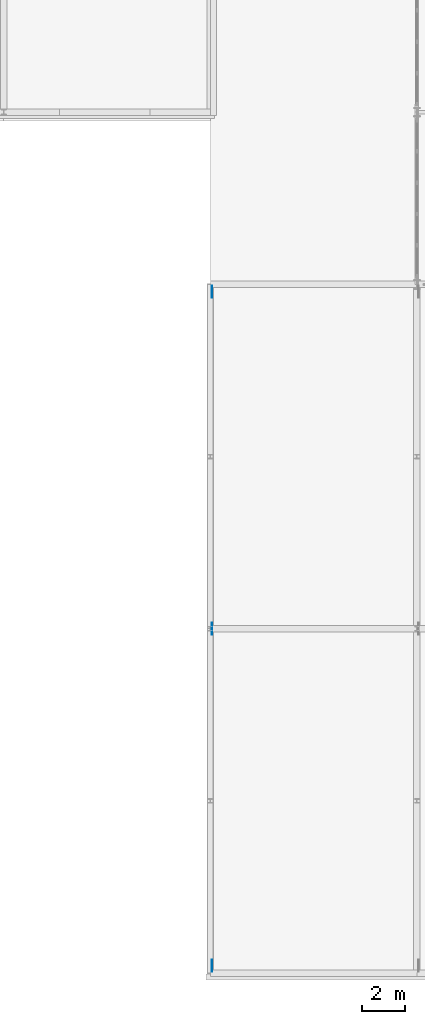
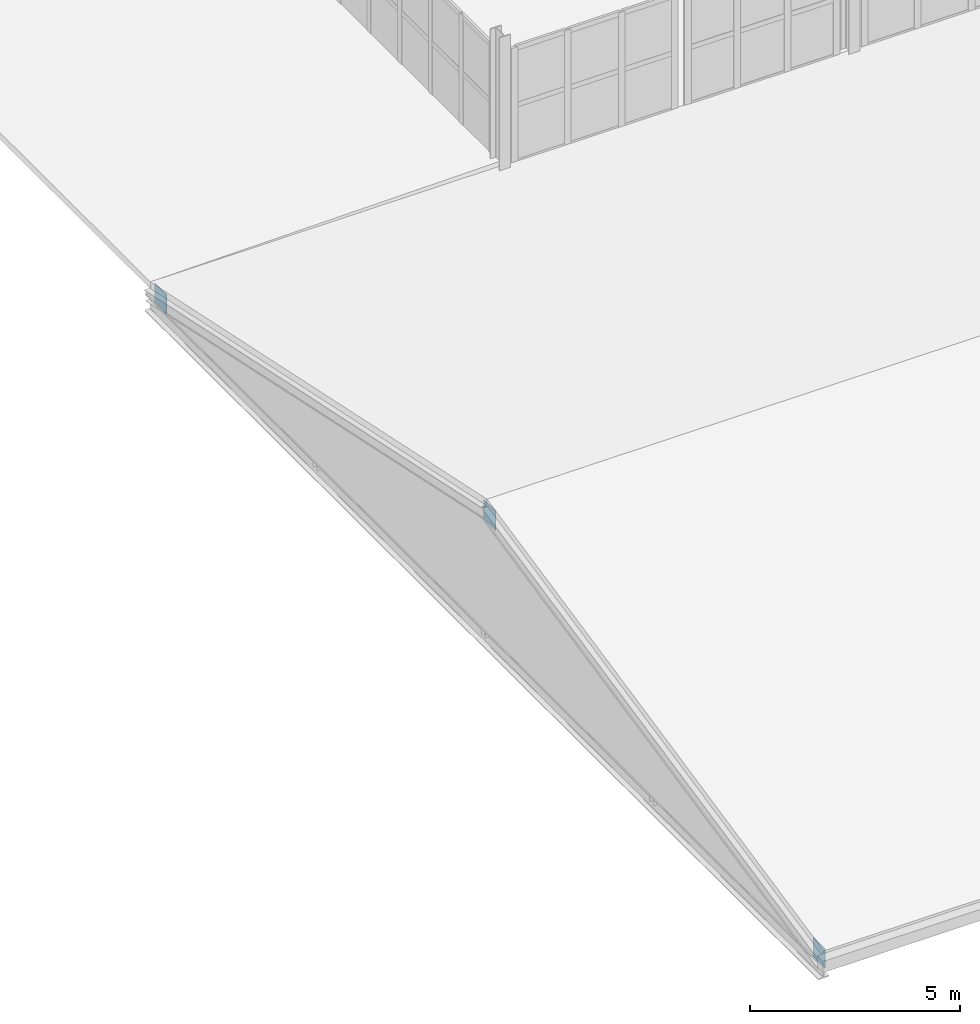
# One storey, part 64 of 85: 3 plates.
"""IFC4 building model written with IfcOpenShell, lengths in metres."""

import ifcopenshell
import ifcopenshell.guid

model = None  # the IFC model being written
_history = None  # IfcOwnerHistory: only IFC2X3 demands one
_inside = {}  # id of a spatial element -> (the spatial element, [elements in it])
_under = {}  # id of a project, library or spatial element -> (it, [spatial elements below it])
_declared = {}  # id of a project -> (the project, [libraries it declares])
_typed = {}  # id of a type object -> (the type object, [elements of that type])
_made_of = {}  # id of a material, layer set ... -> (it, [elements and type objects made of it])


def new_model(schema):
    """Start an empty IFC model of exactly this schema.

    Asked for "IFC4X3", IfcOpenShell would pick the latest addendum, in which some entities
    have other attributes; the version numbers below select the first issue.
    IFC2X3 requires an IfcOwnerHistory on every rooted entity: one is made here for all.
    """
    global model, _history
    if schema == "IFC4X3":
        model = ifcopenshell.file(schema_version=(4, 3, 0, 0))
    else:
        model = ifcopenshell.file(schema=schema)
    _inside.clear()
    _under.clear()
    _declared.clear()
    _typed.clear()
    _made_of.clear()
    _history = None
    if model.schema == "IFC2X3":
        org = make("IfcOrganization", Name="unknown")
        user = make(
            "IfcPersonAndOrganization",
            ThePerson=make("IfcPerson", FamilyName="unknown"),
            TheOrganization=org,
        )
        app = make(
            "IfcApplication",
            ApplicationDeveloper=org,
            Version="unknown",
            ApplicationFullName="unknown",
            ApplicationIdentifier="unknown",
        )
        _history = make(
            "IfcOwnerHistory",
            OwningUser=user,
            OwningApplication=app,
            ChangeAction="ADDED",
            CreationDate=0,
        )
    return model


def make(cls, **values):
    """One entity of the class cls with the attributes given. An attribute that is None is left unset."""
    return model.create_entity(
        cls, **{name: value for name, value in values.items() if value is not None}
    )


def rooted(cls, **values):
    """An entity with a GlobalId (a new one), such as an element, a storey or a relation."""
    return make(cls, GlobalId=ifcopenshell.guid.new(), OwnerHistory=_history, **values)


def si_unit(unit_type, name, prefix=None):
    """IfcSIUnit, for example si_unit("LENGTHUNIT", "METRE", prefix="MILLI")."""
    return make("IfcSIUnit", UnitType=unit_type, Prefix=prefix, Name=name)


def assignment(units):
    """IfcUnitAssignment: the units of a project."""
    return None if units is None else make("IfcUnitAssignment", Units=units)


def point(xyz):
    """IfcCartesianPoint."""
    return None if xyz is None else make("IfcCartesianPoint", Coordinates=xyz)


def direction(xyz):
    """IfcDirection."""
    return None if xyz is None else make("IfcDirection", DirectionRatios=xyz)


def frame(location, z_axis=None, x_axis=None):
    """IfcAxis2Placement3D, a coordinate frame: its origin and axes. An axis left out is left unset."""
    return make(
        "IfcAxis2Placement3D",
        Location=point(location),
        Axis=direction(z_axis),
        RefDirection=direction(x_axis),
    )


def frame_2d(location, x_axis=None):
    """IfcAxis2Placement2D, a coordinate frame in the plane: its origin and x axis."""
    return make(
        "IfcAxis2Placement2D", Location=point(location), RefDirection=direction(x_axis)
    )


def origin():
    """The frame at (0, 0, 0) with its axes left unset."""
    return frame((0.0, 0.0, 0.0))


def origin_2d():
    """The frame at (0, 0) in the plane with its x axis left unset."""
    return frame_2d((0.0, 0.0))


def place(relative_to, where):
    """IfcLocalPlacement: puts the frame where relative to a parent placement (None: the world)."""
    return make(
        "IfcLocalPlacement", PlacementRelTo=relative_to, RelativePlacement=where
    )


def context(
    kind, dimensions, precision=None, world=None, true_north=None, identifier=None
):
    """IfcGeometricRepresentationContext, for example the 3D "Model" context."""
    return make(
        "IfcGeometricRepresentationContext",
        ContextIdentifier=identifier,
        ContextType=kind,
        CoordinateSpaceDimension=dimensions,
        Precision=precision,
        WorldCoordinateSystem=world,
        TrueNorth=true_north,
    )


def subcontext(parent, identifier, kind, view, scale=None):
    """IfcGeometricRepresentationSubContext, for example "Body" below "Model"."""
    return make(
        "IfcGeometricRepresentationSubContext",
        ContextIdentifier=identifier,
        ContextType=kind,
        ParentContext=parent,
        TargetScale=scale,
        TargetView=view,
    )


def project(units=None, contexts=None):
    """IfcProject with its units and contexts."""
    return rooted(
        "IfcProject",
        Name="project",
        RepresentationContexts=contexts,
        UnitsInContext=assignment(units),
    )


def spatial(cls, under=None, at=None, **own):
    """A site, building, storey or space (cls), placed at a placement, below another one or the project."""
    s = rooted(cls, ObjectPlacement=at, **own)
    if under is not None:
        _under.setdefault(under.id(), (under, []))[1].append(s)
    return s


def profile(cls, at=None, kind="AREA", **sizes):
    """A parametric profile (cls). Its sizes go by their IFC names, for example OverallWidth=200.0."""
    return make(cls, ProfileType=kind, Position=at, **sizes)


def rectangle(**sizes):
    """IfcRectangleProfileDef."""
    return profile("IfcRectangleProfileDef", **sizes)


def extrude(swept, where, along, depth):
    """IfcExtrudedAreaSolid: the profile swept, set in the frame where, extruded along a direction by depth."""
    return make(
        "IfcExtrudedAreaSolid",
        SweptArea=swept,
        Position=where,
        ExtrudedDirection=direction(along),
        Depth=depth,
    )


def shape(context_of_items, identifier, shape_type, items):
    """IfcShapeRepresentation: the items that make up one representation, for example the "Body"."""
    return make(
        "IfcShapeRepresentation",
        ContextOfItems=context_of_items,
        RepresentationIdentifier=identifier,
        RepresentationType=shape_type,
        Items=items,
    )


def material(Name=None, Category=None):
    """IfcMaterial."""
    return make("IfcMaterial", Name=Name, Category=Category)


def layer(
    of_material, thickness, ventilated=None, Name=None, Category=None, Priority=None
):
    """IfcMaterialLayer: one layer of a wall or slab, of a material (None: an air gap)."""
    return make(
        "IfcMaterialLayer",
        Material=of_material,
        LayerThickness=thickness,
        IsVentilated=ventilated,
        Name=Name,
        Category=Category,
        Priority=Priority,
    )


def layer_set(layers, Name=None):
    """IfcMaterialLayerSet."""
    return make("IfcMaterialLayerSet", MaterialLayers=layers, LayerSetName=Name)


def made_of(thing, what):
    """Note that an element or type object is made of a material, layer set ...; save() writes the relation."""
    if what is not None:
        _made_of.setdefault(what.id(), (what, []))[1].append(thing)
    return thing


def type_object(cls, material=None, **own):
    """A type object (cls), such as IfcWallType, which elements share."""
    return made_of(rooted(cls, **own), material)


def element(
    cls,
    number,
    at=None,
    inside=None,
    cuts=None,
    type_object=None,
    material=None,
    context=None,
    identifier="Body",
    shape_type=None,
    held_by="IfcProductDefinitionShape",
    body=None,
    shapes=None,
    **own,
):
    """One element of the class cls, such as IfcWall. Its Tag is "e" and its number.

    at: its placement. inside: the storey or other place that contains it. cuts: it is an
    opening in that element (IfcRelVoidsElement). A single representation is given by context,
    identifier, shape_type and body (its items); several are given by shapes. held_by: the class
    of the entity that holds the representations. save() writes the other relations.
    """
    e = rooted(cls, Tag="e%d" % number, ObjectPlacement=at, **own)
    if body is not None:
        shapes = [shape(context, identifier, shape_type, body)]
    if shapes is not None:
        e.Representation = make(held_by, Representations=shapes)
    if inside is not None:
        _inside.setdefault(inside.id(), (inside, []))[1].append(e)
    if cuts is not None:
        rooted(
            "IfcRelVoidsElement", RelatingBuildingElement=cuts, RelatedOpeningElement=e
        )
    if type_object is not None:
        _typed.setdefault(type_object.id(), (type_object, []))[1].append(e)
    return made_of(e, material)


def aggregate(whole, parts):
    """IfcRelAggregates: a whole, such as a stair, and the parts it consists of."""
    return rooted("IfcRelAggregates", RelatingObject=whole, RelatedObjects=parts)


def save(model, path):
    """Write the relations noted so far, then the file.

    IfcRelAggregates (storeys below a building ...), IfcRelContainedInSpatialStructure (elements
    in a storey), IfcRelDefinesByType, IfcRelAssociatesMaterial and IfcRelDeclares: one each for
    every whole, place, type object, material and project.
    """
    for whole, parts in _under.values():
        aggregate(whole, parts)
    for where, things in _inside.values():
        rooted(
            "IfcRelContainedInSpatialStructure",
            RelatedElements=things,
            RelatingStructure=where,
        )
    for kind, things in _typed.values():
        rooted("IfcRelDefinesByType", RelatedObjects=things, RelatingType=kind)
    for what, things in _made_of.values():
        rooted("IfcRelAssociatesMaterial", RelatedObjects=things, RelatingMaterial=what)
    for by, libraries in _declared.values():
        rooted("IfcRelDeclares", RelatingContext=by, RelatedDefinitions=libraries)
    model.write(path)


model = new_model("IFC4")

# Units and contexts
model_context = context("Model", 3, precision=1e-05, world=origin(), true_north=direction((0.0, 1.0)))
body_context = subcontext(model_context, "Body", "Model", "MODEL_VIEW")
ifc_project = project(units=[si_unit("LENGTHUNIT", "METRE"), si_unit("AREAUNIT", "SQUARE_METRE"), si_unit("VOLUMEUNIT", "CUBIC_METRE"), si_unit("PLANEANGLEUNIT", "RADIAN"), si_unit("MASSUNIT", "GRAM", prefix="KILO")], contexts=[model_context])

# Site, building, storey
site_placement = place(None, origin())
site = spatial("IfcSite", under=ifc_project, at=site_placement, CompositionType="ELEMENT")
building_placement = place(site_placement, origin())
building = spatial("IfcBuilding", under=site, at=building_placement, Name="Alderhovde Museum", CompositionType="ELEMENT")
storey_placement = place(building_placement, frame((0.0, 0.0, 8.699951171875)))
storey = spatial("IfcBuildingStorey", under=building, at=storey_placement, Name="L02", CompositionType="ELEMENT", Elevation=8.699951171875)

# Plates
ifc_material = material(Name="Steel S355J2", Category="steel")
ifc_layer = layer(ifc_material, 0.02197265625)
ifc_layer_set = layer_set([ifc_layer], Name="Steel S355J2")
plate_type = type_object("IfcPlateType", Name="PLT-GUSSET-22", PredefinedType="USERDEFINED", material=ifc_layer_set)
for number, where, z_axis, x_axis, name in (
    (1, (67.280029296875, 0.35009765625, -0.530029296875), (0.0, 0.0, 1.0), (1.0, 0.0, 0.0), "Auditorium Truss Gusset X=67.2-1"),
    (2, (67.280029296875, 16.0, 2.669921875), (0.0, 0.0, 1.0), (1.0, 0.0, 0.0), "Auditorium Truss Gusset X=67.2-2"),
    (3, (67.280029296875, 31.64990234375, -0.530029296875), (0.0, 0.0, 1.0), (1.0, 0.0, 0.0), "Auditorium Truss Gusset X=67.2-3"),
):
    element("IfcPlate", number, at=place(storey_placement, frame(where, z_axis=z_axis, x_axis=x_axis)), inside=storey, type_object=plate_type, Name=name, ObjectType="GUSSET PLATE", PredefinedType="USERDEFINED", context=body_context, shape_type="SweptSolid", body=[
        extrude(rectangle(XDim=0.02197265625, YDim=0.56005859375, at=origin_2d()), origin(), (0.0, 0.0, 1.0), 0.56005859375),
    ])

save(model, "model.ifc")
